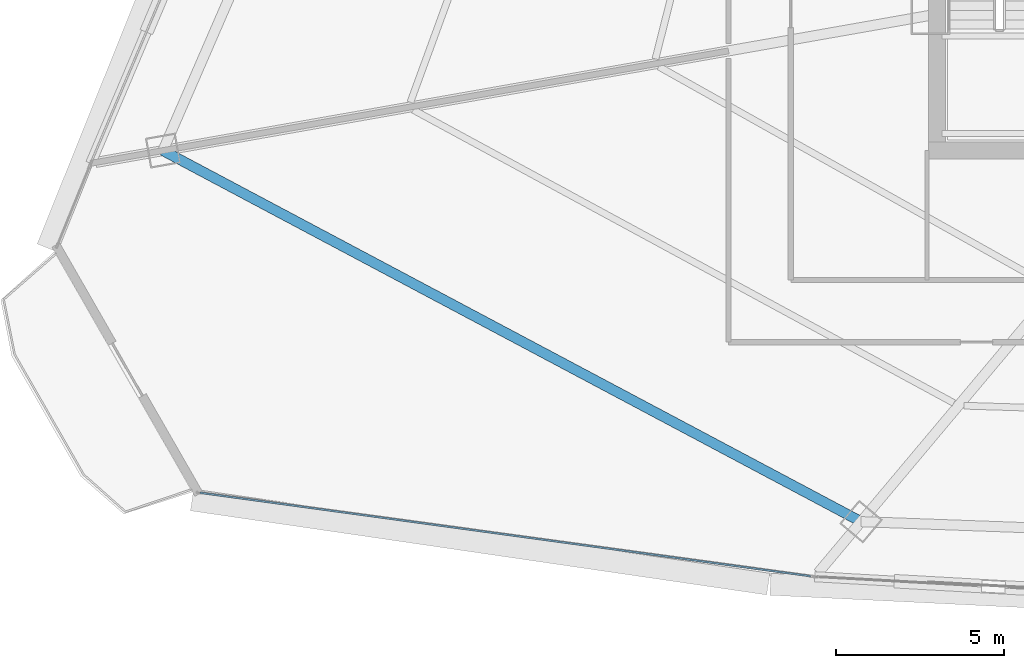
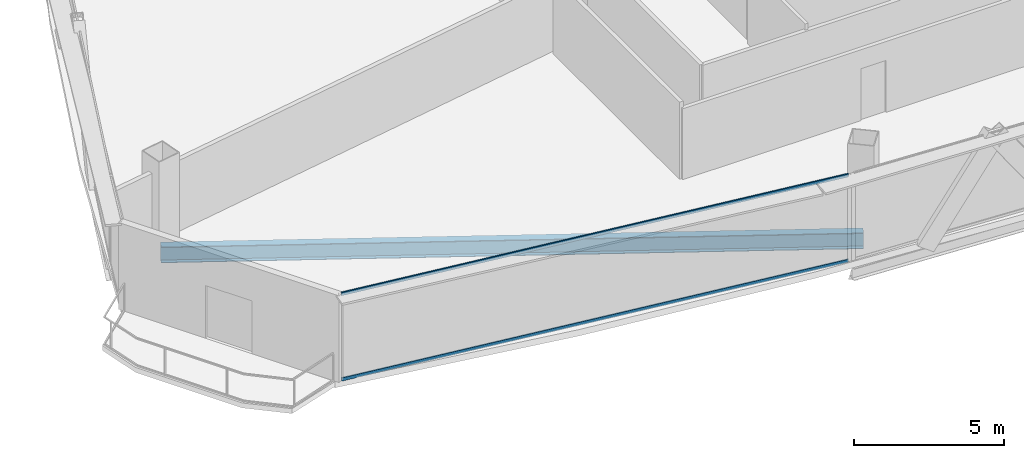
# One storey, part 3 of 37: 2 members, 1 beam, 1 element without a shape of its own.
"""IFC4 building model written with IfcOpenShell, lengths in metres."""

import ifcopenshell
import ifcopenshell.guid

model = None  # the IFC model being written
_history = None  # IfcOwnerHistory: only IFC2X3 demands one
_inside = {}  # id of a spatial element -> (the spatial element, [elements in it])
_under = {}  # id of a project, library or spatial element -> (it, [spatial elements below it])
_declared = {}  # id of a project -> (the project, [libraries it declares])
_typed = {}  # id of a type object -> (the type object, [elements of that type])
_made_of = {}  # id of a material, layer set ... -> (it, [elements and type objects made of it])


def new_model(schema):
    """Start an empty IFC model of exactly this schema.

    Asked for "IFC4X3", IfcOpenShell would pick the latest addendum, in which some entities
    have other attributes; the version numbers below select the first issue.
    IFC2X3 requires an IfcOwnerHistory on every rooted entity: one is made here for all.
    """
    global model, _history
    if schema == "IFC4X3":
        model = ifcopenshell.file(schema_version=(4, 3, 0, 0))
    else:
        model = ifcopenshell.file(schema=schema)
    _inside.clear()
    _under.clear()
    _declared.clear()
    _typed.clear()
    _made_of.clear()
    _history = None
    if model.schema == "IFC2X3":
        org = make("IfcOrganization", Name="unknown")
        user = make(
            "IfcPersonAndOrganization",
            ThePerson=make("IfcPerson", FamilyName="unknown"),
            TheOrganization=org,
        )
        app = make(
            "IfcApplication",
            ApplicationDeveloper=org,
            Version="unknown",
            ApplicationFullName="unknown",
            ApplicationIdentifier="unknown",
        )
        _history = make(
            "IfcOwnerHistory",
            OwningUser=user,
            OwningApplication=app,
            ChangeAction="ADDED",
            CreationDate=0,
        )
    return model


def make(cls, **values):
    """One entity of the class cls with the attributes given. An attribute that is None is left unset."""
    return model.create_entity(
        cls, **{name: value for name, value in values.items() if value is not None}
    )


def rooted(cls, **values):
    """An entity with a GlobalId (a new one), such as an element, a storey or a relation."""
    return make(cls, GlobalId=ifcopenshell.guid.new(), OwnerHistory=_history, **values)


def si_unit(unit_type, name, prefix=None):
    """IfcSIUnit, for example si_unit("LENGTHUNIT", "METRE", prefix="MILLI")."""
    return make("IfcSIUnit", UnitType=unit_type, Prefix=prefix, Name=name)


def assignment(units):
    """IfcUnitAssignment: the units of a project."""
    return None if units is None else make("IfcUnitAssignment", Units=units)


def point(xyz):
    """IfcCartesianPoint."""
    return None if xyz is None else make("IfcCartesianPoint", Coordinates=xyz)


def direction(xyz):
    """IfcDirection."""
    return None if xyz is None else make("IfcDirection", DirectionRatios=xyz)


def frame(location, z_axis=None, x_axis=None):
    """IfcAxis2Placement3D, a coordinate frame: its origin and axes. An axis left out is left unset."""
    return make(
        "IfcAxis2Placement3D",
        Location=point(location),
        Axis=direction(z_axis),
        RefDirection=direction(x_axis),
    )


def frame_2d(location, x_axis=None):
    """IfcAxis2Placement2D, a coordinate frame in the plane: its origin and x axis."""
    return make(
        "IfcAxis2Placement2D", Location=point(location), RefDirection=direction(x_axis)
    )


def origin():
    """The frame at (0, 0, 0) with its axes left unset."""
    return frame((0.0, 0.0, 0.0))


def origin_2d():
    """The frame at (0, 0) in the plane with its x axis left unset."""
    return frame_2d((0.0, 0.0))


def place(relative_to, where):
    """IfcLocalPlacement: puts the frame where relative to a parent placement (None: the world)."""
    return make(
        "IfcLocalPlacement", PlacementRelTo=relative_to, RelativePlacement=where
    )


def context(
    kind, dimensions, precision=None, world=None, true_north=None, identifier=None
):
    """IfcGeometricRepresentationContext, for example the 3D "Model" context."""
    return make(
        "IfcGeometricRepresentationContext",
        ContextIdentifier=identifier,
        ContextType=kind,
        CoordinateSpaceDimension=dimensions,
        Precision=precision,
        WorldCoordinateSystem=world,
        TrueNorth=true_north,
    )


def subcontext(parent, identifier, kind, view, scale=None):
    """IfcGeometricRepresentationSubContext, for example "Body" below "Model"."""
    return make(
        "IfcGeometricRepresentationSubContext",
        ContextIdentifier=identifier,
        ContextType=kind,
        ParentContext=parent,
        TargetScale=scale,
        TargetView=view,
    )


def project(units=None, contexts=None):
    """IfcProject with its units and contexts."""
    return rooted(
        "IfcProject",
        Name="project",
        RepresentationContexts=contexts,
        UnitsInContext=assignment(units),
    )


def spatial(cls, under=None, at=None, **own):
    """A site, building, storey or space (cls), placed at a placement, below another one or the project."""
    s = rooted(cls, ObjectPlacement=at, **own)
    if under is not None:
        _under.setdefault(under.id(), (under, []))[1].append(s)
    return s


def profile(cls, at=None, kind="AREA", **sizes):
    """A parametric profile (cls). Its sizes go by their IFC names, for example OverallWidth=200.0."""
    return make(cls, ProfileType=kind, Position=at, **sizes)


def hollow_rectangle(**sizes):
    """IfcRectangleHollowProfileDef."""
    return profile("IfcRectangleHollowProfileDef", **sizes)


def i_section(**sizes):
    """IfcIShapeProfileDef."""
    return profile("IfcIShapeProfileDef", **sizes)


def extrude(swept, where, along, depth):
    """IfcExtrudedAreaSolid: the profile swept, set in the frame where, extruded along a direction by depth."""
    return make(
        "IfcExtrudedAreaSolid",
        SweptArea=swept,
        Position=where,
        ExtrudedDirection=direction(along),
        Depth=depth,
    )


def shape(context_of_items, identifier, shape_type, items):
    """IfcShapeRepresentation: the items that make up one representation, for example the "Body"."""
    return make(
        "IfcShapeRepresentation",
        ContextOfItems=context_of_items,
        RepresentationIdentifier=identifier,
        RepresentationType=shape_type,
        Items=items,
    )


def source(mapping_origin, context_of_items, identifier, shape_type, items):
    """IfcRepresentationMap: a shape defined once, which mapped items show again and again."""
    return make(
        "IfcRepresentationMap",
        MappingOrigin=mapping_origin,
        MappedRepresentation=shape(context_of_items, identifier, shape_type, items),
    )


def transform(
    local_origin,
    x_axis=None,
    y_axis=None,
    z_axis=None,
    scale=None,
    scale2=None,
    scale3=None,
    uniform=True,
):
    """IfcCartesianTransformationOperator3D, or its non-uniform kind. x_axis, y_axis, z_axis: its Axis1, 2, 3."""
    if uniform:
        return make(
            "IfcCartesianTransformationOperator3D",
            Axis1=direction(x_axis),
            Axis2=direction(y_axis),
            LocalOrigin=point(local_origin),
            Scale=scale,
            Axis3=direction(z_axis),
        )
    return make(
        "IfcCartesianTransformationOperator3DnonUniform",
        Axis1=direction(x_axis),
        Axis2=direction(y_axis),
        LocalOrigin=point(local_origin),
        Scale=scale,
        Axis3=direction(z_axis),
        Scale2=scale2,
        Scale3=scale3,
    )


def mapped(mapping_source, mapping_target):
    """IfcMappedItem: shows the shape of a source again, moved by a transform."""
    return make(
        "IfcMappedItem", MappingSource=mapping_source, MappingTarget=mapping_target
    )


def material(Name=None, Category=None):
    """IfcMaterial."""
    return make("IfcMaterial", Name=Name, Category=Category)


def layer(
    of_material, thickness, ventilated=None, Name=None, Category=None, Priority=None
):
    """IfcMaterialLayer: one layer of a wall or slab, of a material (None: an air gap)."""
    return make(
        "IfcMaterialLayer",
        Material=of_material,
        LayerThickness=thickness,
        IsVentilated=ventilated,
        Name=Name,
        Category=Category,
        Priority=Priority,
    )


def layer_set(layers, Name=None):
    """IfcMaterialLayerSet."""
    return make("IfcMaterialLayerSet", MaterialLayers=layers, LayerSetName=Name)


def material_profile(
    of_material, cross_section, Name=None, Category=None, Priority=None
):
    """IfcMaterialProfile: a cross section and its material."""
    return make(
        "IfcMaterialProfile",
        Name=Name,
        Material=of_material,
        Profile=cross_section,
        Priority=Priority,
        Category=Category,
    )


def profile_set(profiles, Name=None, composite=None):
    """IfcMaterialProfileSet."""
    return make(
        "IfcMaterialProfileSet",
        Name=Name,
        MaterialProfiles=profiles,
        CompositeProfile=composite,
    )


def made_of(thing, what):
    """Note that an element or type object is made of a material, layer set ...; save() writes the relation."""
    if what is not None:
        _made_of.setdefault(what.id(), (what, []))[1].append(thing)
    return thing


def type_object(cls, material=None, **own):
    """A type object (cls), such as IfcWallType, which elements share."""
    return made_of(rooted(cls, **own), material)


def element(
    cls,
    number,
    at=None,
    inside=None,
    cuts=None,
    type_object=None,
    material=None,
    context=None,
    identifier="Body",
    shape_type=None,
    held_by="IfcProductDefinitionShape",
    body=None,
    shapes=None,
    **own,
):
    """One element of the class cls, such as IfcWall. Its Tag is "e" and its number.

    at: its placement. inside: the storey or other place that contains it. cuts: it is an
    opening in that element (IfcRelVoidsElement). A single representation is given by context,
    identifier, shape_type and body (its items); several are given by shapes. held_by: the class
    of the entity that holds the representations. save() writes the other relations.
    """
    e = rooted(cls, Tag="e%d" % number, ObjectPlacement=at, **own)
    if body is not None:
        shapes = [shape(context, identifier, shape_type, body)]
    if shapes is not None:
        e.Representation = make(held_by, Representations=shapes)
    if inside is not None:
        _inside.setdefault(inside.id(), (inside, []))[1].append(e)
    if cuts is not None:
        rooted(
            "IfcRelVoidsElement", RelatingBuildingElement=cuts, RelatedOpeningElement=e
        )
    if type_object is not None:
        _typed.setdefault(type_object.id(), (type_object, []))[1].append(e)
    return made_of(e, material)


def aggregate(whole, parts):
    """IfcRelAggregates: a whole, such as a stair, and the parts it consists of."""
    return rooted("IfcRelAggregates", RelatingObject=whole, RelatedObjects=parts)


def save(model, path):
    """Write the relations noted so far, then the file.

    IfcRelAggregates (storeys below a building ...), IfcRelContainedInSpatialStructure (elements
    in a storey), IfcRelDefinesByType, IfcRelAssociatesMaterial and IfcRelDeclares: one each for
    every whole, place, type object, material and project.
    """
    for whole, parts in _under.values():
        aggregate(whole, parts)
    for where, things in _inside.values():
        rooted(
            "IfcRelContainedInSpatialStructure",
            RelatedElements=things,
            RelatingStructure=where,
        )
    for kind, things in _typed.values():
        rooted("IfcRelDefinesByType", RelatedObjects=things, RelatingType=kind)
    for what, things in _made_of.values():
        rooted("IfcRelAssociatesMaterial", RelatedObjects=things, RelatingMaterial=what)
    for by, libraries in _declared.values():
        rooted("IfcRelDeclares", RelatingContext=by, RelatedDefinitions=libraries)
    model.write(path)


model = new_model("IFC4")

# Units and contexts
model_context = context("Model", 3, precision=1e-05, world=origin(), true_north=direction((0.0, 1.0)))
body_context = subcontext(model_context, "Body", "Model", "MODEL_VIEW")
ifc_project = project(units=[si_unit("LENGTHUNIT", "METRE"), si_unit("AREAUNIT", "SQUARE_METRE"), si_unit("VOLUMEUNIT", "CUBIC_METRE"), si_unit("PLANEANGLEUNIT", "RADIAN"), si_unit("MASSUNIT", "GRAM", prefix="KILO"), si_unit("THERMODYNAMICTEMPERATUREUNIT", "KELVIN"), si_unit("POWERUNIT", "WATT")], contexts=[model_context])

# Site, building, storey
site_placement = place(None, origin())
site = spatial("IfcSite", under=ifc_project, at=site_placement, CompositionType="ELEMENT")
building_placement = place(site_placement, origin())
building = spatial("IfcBuilding", under=site, at=building_placement, Name="Yunzhuo Pagoda Commons", CompositionType="ELEMENT")
storey_placement = place(building_placement, frame((0.0, 0.0, 196.159912109375)))
storey = spatial("IfcBuildingStorey", under=building, at=storey_placement, Name="L49", CompositionType="ELEMENT", Elevation=196.159912109375)

# Beam
ifc_material_1 = material(Name="Structural steel Q355B", Category="steel")
ifc_material_profile_1 = material_profile(ifc_material_1, i_section(OverallWidth=0.300048828125, OverallDepth=0.64990234375, WebThickness=0.012939453125, FlangeThickness=0.02197265625, at=origin_2d()), Name="Structural steel Q355B")
ifc_profile_set_1 = profile_set([ifc_material_profile_1], Name="Structural steel Q355B")
beam_type = type_object("IfcBeamType", Name="B-RG2 Beam HN 650x300x13x22", PredefinedType="BEAM", material=ifc_profile_set_1)
shared_shape_1 = source(origin(), body_context, "Body", "SweptSolid", [
    extrude(i_section(OverallWidth=0.300048828125, OverallDepth=0.64990234375, WebThickness=0.012939453125, FlangeThickness=0.02197265625, at=origin_2d()), origin(), (0.0, 0.0, 1.0), 23.49365234375),
])
beam_placement = place(storey_placement, frame((12.79345703125, 27.492431640625, -0.5849609375), z_axis=(0.883016269865, -0.469342377325, 0.0), x_axis=(0.469342377325, 0.883016269865, 0.0)))
element("IfcBeam", 1, at=beam_placement, inside=storey, type_object=beam_type, Name="L49 column-ring beam 12", PredefinedType="BEAM", context=body_context, shape_type="MappedRepresentation", body=[
    mapped(shared_shape_1, transform((0.0, 0.0, 0.0), scale=1.0)),
])

# Curtain wall, members
ifc_material_2 = material(Name="Anodized aluminium 6063-T6", Category="aluminium")
ifc_layer = layer(ifc_material_2, 0.14990234375)
ifc_layer_set = layer_set([ifc_layer], Name="Anodized aluminium 6063-T6")
curtain_wall_type = type_object("IfcCurtainWallType", Name="CW-MID Mid-Zone Ribbon Curtain Wall", PredefinedType="NOTDEFINED", material=ifc_layer_set)
curtain_wall_placement = place(storey_placement, origin())
curtain_wall = element("IfcCurtainWall", 2, at=curtain_wall_placement, inside=storey, type_object=curtain_wall_type, Name="L49 curtain wall CW-L49-F1B1", PredefinedType="NOTDEFINED")
ifc_material_profile_2 = material_profile(ifc_material_2, hollow_rectangle(XDim=0.054931640625, YDim=0.1298828125, WallThickness=0.00341796875, at=origin_2d()), Name="Anodized aluminium 6063-T6")
ifc_profile_set_2 = profile_set([ifc_material_profile_2], Name="Anodized aluminium 6063-T6")
member_type = type_object("IfcMemberType", Name="CW-MID-T Transom RHS 130x55x3.5", PredefinedType="USERDEFINED", material=ifc_profile_set_2)
shared_shape_2 = source(origin(), body_context, "Body", "SweptSolid", [
    extrude(hollow_rectangle(XDim=0.054931640625, YDim=0.1298828125, WallThickness=0.00341796875, at=origin_2d()), origin(), (0.0, 0.0, 1.0), 18.307861328125),
])
member_1_placement = place(storey_placement, frame((13.89208984375, 17.324462890625, 0.027587890625), z_axis=(0.990802800825, -0.13531374608, 0.0), x_axis=(0.13531374608, 0.990802800825, 0.0)))
member_1 = element("IfcMember", 3, at=member_1_placement, type_object=member_type, Name="CW transom 1.1", ObjectType="TRANSOM", PredefinedType="USERDEFINED", context=body_context, shape_type="MappedRepresentation", body=[
    mapped(shared_shape_2, transform((0.0, 0.0, 0.0), scale=1.0)),
])
member_2_placement = place(storey_placement, frame((13.89208984375, 17.324462890625, 3.5126953125), z_axis=(0.990802800825, -0.13531374608, 0.0), x_axis=(0.13531374608, 0.990802800825, 0.0)))
member_2 = element("IfcMember", 4, at=member_2_placement, type_object=member_type, Name="CW transom 1.2", ObjectType="TRANSOM", PredefinedType="USERDEFINED", context=body_context, shape_type="MappedRepresentation", body=[
    mapped(shared_shape_2, transform((0.0, 0.0, 0.0), scale=1.0)),
])
aggregate(curtain_wall, [member_1, member_2])

save(model, "model.ifc")
